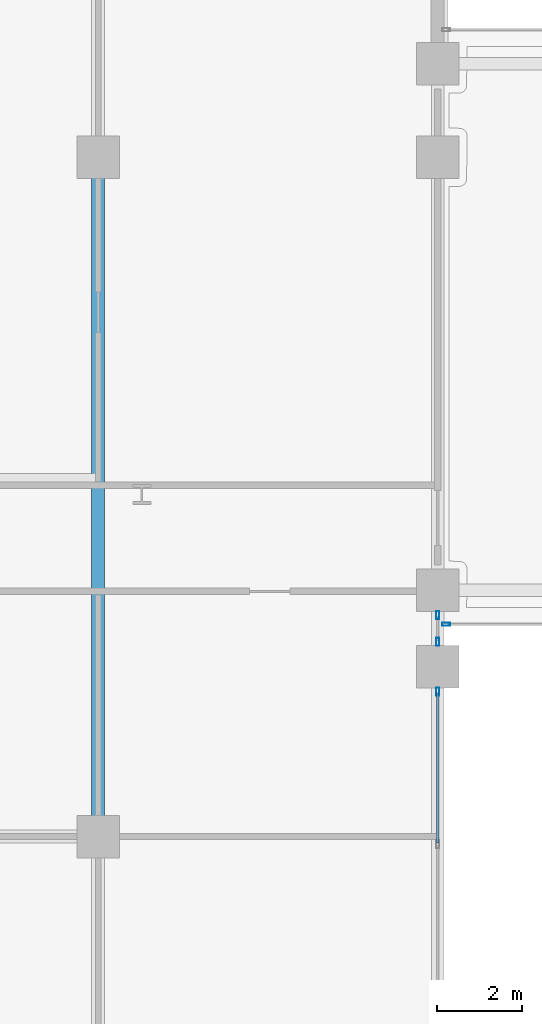
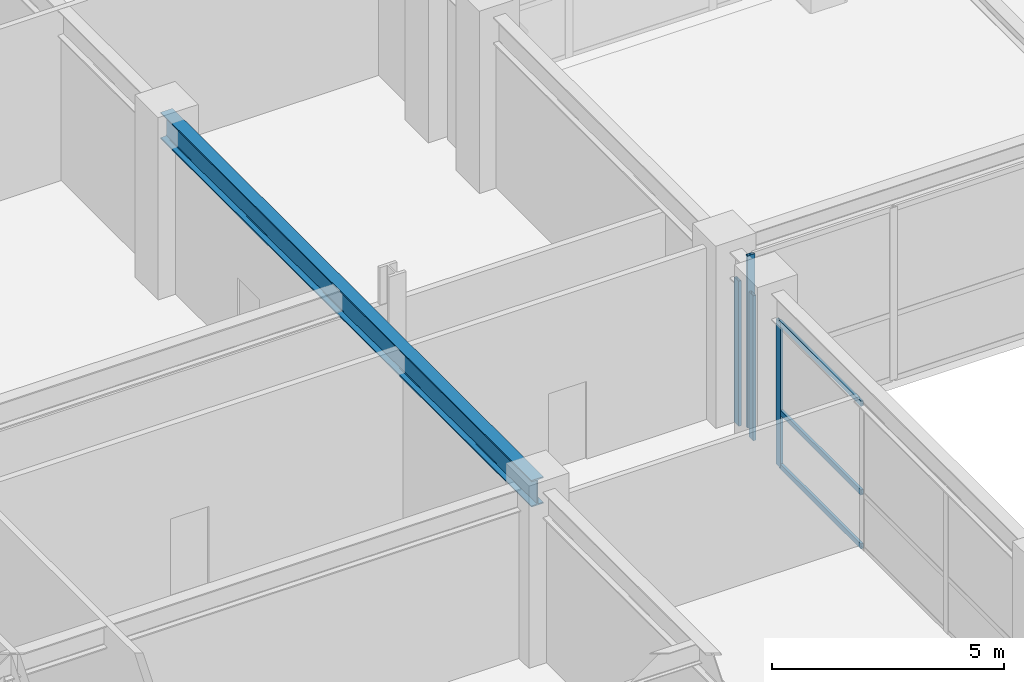
# One storey, part 16 of 48: 7 members, 1 beam, 3 elements without a shape of their own.
"""IFC4 building model written with IfcOpenShell, lengths in metres."""

from ifc_helpers import new_model, si_unit, derived_unit, direction, frame, origin, origin_2d, place, context, subcontext, project, spatial, hollow_rectangle, i_section, extrude, source, transform, mapped, material, layer, layer_set, material_profile, profile_set, type_object, element, aggregate, save


model = new_model("IFC4")

# Units and contexts
model_context = context("Model", 3, precision=1e-05, world=origin(), true_north=direction((0.0, 1.0)))
body_context = subcontext(model_context, "Body", "Model", "MODEL_VIEW")
ifc_project = project(units=[si_unit("LENGTHUNIT", "METRE"), si_unit("AREAUNIT", "SQUARE_METRE"), si_unit("VOLUMEUNIT", "CUBIC_METRE"), si_unit("PLANEANGLEUNIT", "RADIAN"), si_unit("MASSUNIT", "GRAM", prefix="KILO"), derived_unit("THERMALTRANSMITTANCEUNIT", [(si_unit("POWERUNIT", "WATT"), 1), (si_unit("LENGTHUNIT", "METRE"), -2), (si_unit("THERMODYNAMICTEMPERATUREUNIT", "KELVIN"), -1)])], contexts=[model_context])

# Site, building, storey
site_placement = place(None, origin())
site = spatial("IfcSite", under=ifc_project, at=site_placement, CompositionType="ELEMENT")
building_placement = place(site_placement, origin())
building = spatial("IfcBuilding", under=site, at=building_placement, Name="Korsvarv Bourse and Concert Hall", CompositionType="ELEMENT")
storey_placement = place(building_placement, frame((0.0, 0.0, 4.800048828125)))
storey = spatial("IfcBuildingStorey", under=building, at=storey_placement, Name="L01", CompositionType="ELEMENT", Elevation=4.800048828125)

# Beam
ifc_material_1 = material(Name="Steel S355", Category="steel")
ifc_material_profile_1 = material_profile(ifc_material_1, i_section(OverallWidth=0.300048828125, OverallDepth=0.699951171875, WebThickness=0.01708984375, FlangeThickness=0.031982421875, FilletRadius=0.027099609375, at=origin_2d()), Name="HEB 700")
ifc_profile_set_1 = profile_set([ifc_material_profile_1], Name="Steel S355")
beam_type = type_object("IfcBeamType", Name="BM-HEB700", PredefinedType="BEAM", material=ifc_profile_set_1)
shared_shape_1 = source(origin(), body_context, "Body", "SweptSolid", [
    extrude(i_section(OverallWidth=0.300048828125, OverallDepth=0.699951171875, WebThickness=0.01708984375, FlangeThickness=0.031982421875, FilletRadius=0.027099609375, at=origin_2d()), origin(), (0.0, 0.0, 1.0), 16.0),
])
beam_placement = place(storey_placement, frame((58.0, 24.0, 4.169921875), z_axis=(0.0, 1.0, 0.0), x_axis=(-1.0, 0.0, 0.0)))
element("IfcBeam", 1, at=beam_placement, inside=storey, type_object=beam_type, Name="L01 beam B-03", PredefinedType="BEAM", context=body_context, shape_type="MappedRepresentation", body=[
    mapped(shared_shape_1, transform((0.0, 0.0, 0.0), scale=1.0)),
])

# Curtain wall, member
ifc_material_2 = material(Name="Anodised aluminium and triple low-E glazing", Category="glass")
ifc_layer = layer(ifc_material_2, 0.239990234375)
ifc_layer_set = layer_set([ifc_layer], Name="Anodised aluminium and triple low-E glazing")
curtain_wall_type = type_object("IfcCurtainWallType", Name="CW-SYS-5", PredefinedType="NOTDEFINED", material=ifc_layer_set)
curtain_wall_1_placement = place(storey_placement, origin())
curtain_wall_1 = element("IfcCurtainWall", 2, at=curtain_wall_1_placement, inside=storey, type_object=curtain_wall_type, Name="L01 CW5 curtain wall CW-L01-E2-1", PredefinedType="NOTDEFINED")
ifc_material_3 = material(Name="Extruded aluminium EN AW-6063 T66", Category="aluminium")
ifc_material_profile_2 = material_profile(ifc_material_3, hollow_rectangle(XDim=0.070068359375, YDim=0.18994140625, WallThickness=0.0048828125, at=origin_2d()), Name="ALU-M 70x190")
ifc_profile_set_2 = profile_set([ifc_material_profile_2], Name="Extruded aluminium EN AW-6063 T66")
member_type_1 = type_object("IfcMemberType", Name="CWM-190", PredefinedType="MULLION", material=ifc_profile_set_2)
shared_shape_2 = source(origin(), body_context, "Body", "SweptSolid", [
    extrude(hollow_rectangle(XDim=0.070068359375, YDim=0.18994140625, WallThickness=0.0048828125, at=origin_2d()), origin(), (0.0, 0.0, 1.0), 3.820068359375),
])
member_1_placement = place(storey_placement, frame((66.0, 27.4150390625, 0.0), z_axis=(0.0, 0.0, 1.0), x_axis=(-1.0, 0.0, 0.0)))
member_1 = element("IfcMember", 3, at=member_1_placement, type_object=member_type_1, Name="CW5 mullion 4", PredefinedType="MULLION", context=body_context, shape_type="MappedRepresentation", body=[
    mapped(shared_shape_2, transform((0.0, 0.0, 0.0), scale=1.0)),
])

# Curtain wall, members
curtain_wall_2_placement = place(storey_placement, origin())
curtain_wall_2 = element("IfcCurtainWall", 4, at=curtain_wall_2_placement, inside=storey, type_object=curtain_wall_type, Name="L01 CW5 curtain wall CW-L01-E2-2", PredefinedType="NOTDEFINED")
member_2_placement = place(storey_placement, frame((66.0, 28.5849609375, 0.0), z_axis=(0.0, 0.0, 1.0), x_axis=(-1.0, 0.0, 0.0)))
member_2 = element("IfcMember", 5, at=member_2_placement, type_object=member_type_1, Name="CW5 mullion 1", PredefinedType="MULLION", context=body_context, shape_type="MappedRepresentation", body=[
    mapped(shared_shape_2, transform((0.0, 0.0, 0.0), scale=1.0)),
])
member_3_placement = place(storey_placement, frame((66.0, 29.215087890625, 0.0), z_axis=(0.0, 0.0, 1.0), x_axis=(-1.0, 0.0, 0.0)))
member_3 = element("IfcMember", 6, at=member_3_placement, type_object=member_type_1, Name="CW5 mullion 2", PredefinedType="MULLION", context=body_context, shape_type="MappedRepresentation", body=[
    mapped(shared_shape_2, transform((0.0, 0.0, 0.0), scale=1.0)),
])
aggregate(curtain_wall_2, [member_2, member_3])

# Member
ifc_material_profile_3 = material_profile(ifc_material_3, hollow_rectangle(XDim=0.06494140625, YDim=0.139892578125, WallThickness=0.00390625, at=origin_2d()), Name="ALU-T 65x140")
ifc_profile_set_3 = profile_set([ifc_material_profile_3], Name="Extruded aluminium EN AW-6063 T66")
member_type_2 = type_object("IfcMemberType", Name="CWT-140", PredefinedType="USERDEFINED", material=ifc_profile_set_3)
shared_shape_3 = source(origin(), body_context, "Body", "SweptSolid", [
    extrude(hollow_rectangle(XDim=0.06494140625, YDim=0.139892578125, WallThickness=0.00390625, at=origin_2d()), origin(), (0.0, 0.0, 1.0), 3.5283203125),
])
member_4_placement = place(storey_placement, frame((66.0, 23.8515625, 0.032470703125), z_axis=(0.0, 1.0, 0.0), x_axis=(-1.0, 0.0, 0.0)))
member_4 = element("IfcMember", 7, at=member_4_placement, type_object=member_type_2, Name="CW5 transom 3.1", ObjectType="TRANSOM", PredefinedType="USERDEFINED", context=body_context, shape_type="MappedRepresentation", body=[
    mapped(shared_shape_3, transform((0.0, 0.0, 0.0), scale=1.0)),
])

member_5_placement = place(storey_placement, frame((66.0, 23.8515625, 1.45166015625), z_axis=(0.0, 1.0, 0.0), x_axis=(-1.0, 0.0, 0.0)))
member_5 = element("IfcMember", 8, at=member_5_placement, type_object=member_type_2, Name="CW5 transom 3.2", ObjectType="TRANSOM", PredefinedType="USERDEFINED", context=body_context, shape_type="MappedRepresentation", body=[
    mapped(shared_shape_3, transform((0.0, 0.0, 0.0), scale=1.0)),
])

member_6_placement = place(storey_placement, frame((66.0, 23.8515625, 3.787353515625), z_axis=(0.0, 1.0, 0.0), x_axis=(-1.0, 0.0, 0.0)))
member_6 = element("IfcMember", 9, at=member_6_placement, type_object=member_type_2, Name="CW5 transom 3.3", ObjectType="TRANSOM", PredefinedType="USERDEFINED", context=body_context, shape_type="MappedRepresentation", body=[
    mapped(shared_shape_3, transform((0.0, 0.0, 0.0), scale=1.0)),
])

aggregate(curtain_wall_1, [member_1, member_4, member_5, member_6])

# Curtain wall, member
curtain_wall_3_placement = place(storey_placement, origin())
curtain_wall_3 = element("IfcCurtainWall", 10, at=curtain_wall_3_placement, inside=storey, type_object=curtain_wall_type, Name="L01 CW5 curtain wall CW-L01-LKS", PredefinedType="NOTDEFINED")
shared_shape_4 = source(origin(), body_context, "Body", "SweptSolid", [
    extrude(hollow_rectangle(XDim=0.070068359375, YDim=0.18994140625, WallThickness=0.0048828125, at=origin_2d()), origin(), (0.0, 0.0, 1.0), 4.5400390625),
])
member_7_placement = place(storey_placement, frame((66.195068359375, 29.0, 0.0), z_axis=(0.0, 0.0, 1.0), x_axis=(0.0, 1.0, 0.0)))
member_7 = element("IfcMember", 11, at=member_7_placement, type_object=member_type_1, Name="CW5 mullion 1", PredefinedType="MULLION", context=body_context, shape_type="MappedRepresentation", body=[
    mapped(shared_shape_4, transform((0.0, 0.0, 0.0), scale=1.0)),
])
aggregate(curtain_wall_3, [member_7])

save(model, "model.ifc")
